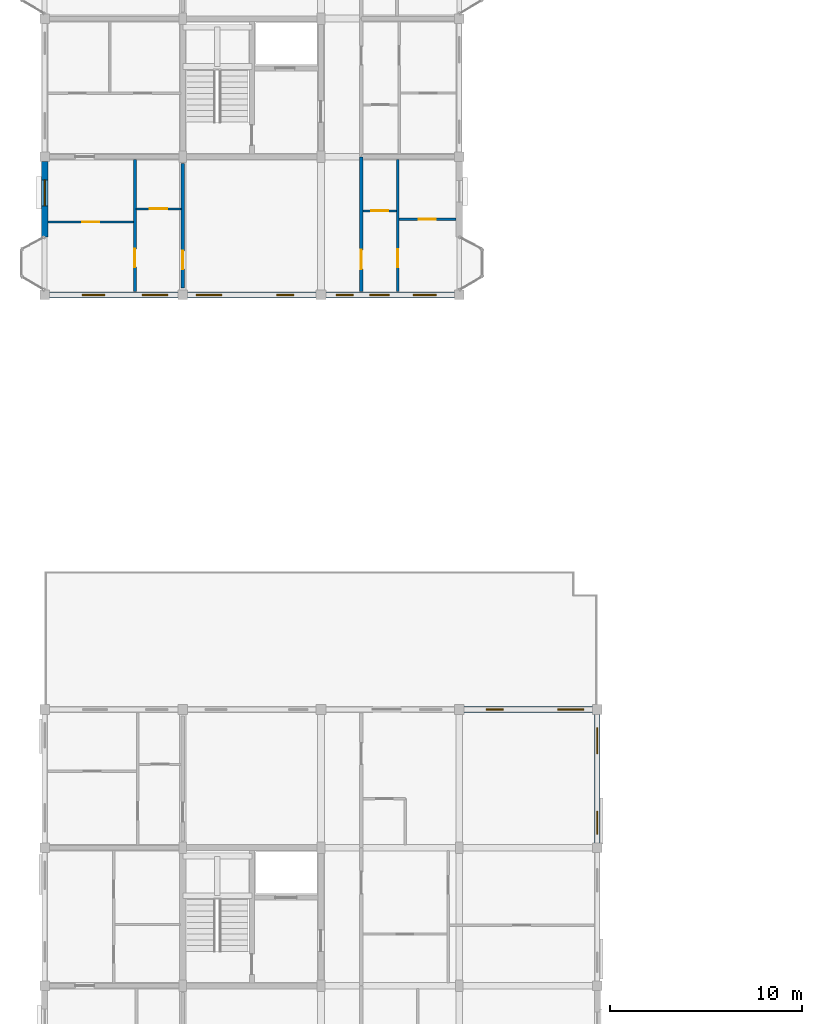
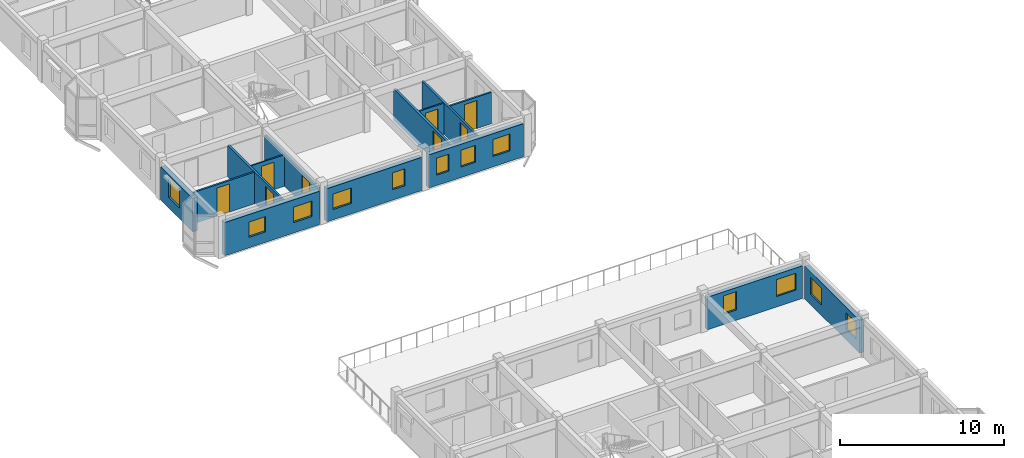
# One storey, part 50 of 70: 14 walls, 12 windows, 8 doors, 20 openings.
"""IFC4 building model written with IfcOpenShell, lengths in metres."""

from ifc_helpers import new_model, si_unit, direction, frame, frame_2d, origin, place, context, subcontext, project, spatial, rectangle, extrude, material, layer, layer_set, type_object, element, fill, save


model = new_model("IFC4")

# Units and contexts
model_context = context("Model", 3, precision=1e-05, world=origin(), true_north=direction((0.0, 1.0)))
body_context = subcontext(model_context, "Body", "Model", "MODEL_VIEW")
ifc_project = project(units=[si_unit("LENGTHUNIT", "METRE"), si_unit("AREAUNIT", "SQUARE_METRE"), si_unit("VOLUMEUNIT", "CUBIC_METRE"), si_unit("PLANEANGLEUNIT", "RADIAN"), si_unit("MASSUNIT", "GRAM", prefix="KILO"), si_unit("THERMODYNAMICTEMPERATUREUNIT", "KELVIN"), si_unit("POWERUNIT", "WATT")], contexts=[model_context])

# Site, building, storey
site_placement = place(None, origin())
site = spatial("IfcSite", under=ifc_project, at=site_placement, CompositionType="ELEMENT")
building_placement = place(site_placement, origin())
building = spatial("IfcBuilding", under=site, at=building_placement, Name="Tavuni Mirador Residences", CompositionType="ELEMENT")
storey_placement = place(building_placement, frame((0.0, 0.0, 23.39990234375)))
storey = spatial("IfcBuildingStorey", under=building, at=storey_placement, Name="L07", CompositionType="ELEMENT", Elevation=23.39990234375)

# Wall, opening, door
ifc_material_1 = material(Name="Precast concrete C40/50", Category="concrete")
ifc_layer_1 = layer(ifc_material_1, 0.1650390625, Name="Precast concrete C40/50", Category="concrete")
ifc_layer_set_1 = layer_set([ifc_layer_1], Name="Precast concrete C40/50")
wall_type_1 = type_object("IfcWallType", Name="WT-CORR165", PredefinedType="PARTITIONING", material=ifc_layer_set_1)
wall_1_placement = place(storey_placement, frame((20.10009765625, 64.97509765625, 0.0), z_axis=(0.0, 0.0, 1.0), x_axis=(0.0, 1.0, 0.0)))
wall_1 = element("IfcWall", 1, at=wall_1_placement, inside=storey, type_object=wall_type_1, Name="CORW-BLK-B-L07-0-00", PredefinedType="PARTITIONING", context=body_context, shape_type="SweptSolid", body=[
    extrude(rectangle(XDim=7.0048828125, YDim=0.1650390625, at=frame_2d((3.50244140625, 0.0))), origin(), (0.0, 0.0, 1.0), 2.34521484375),
])
opening_1_placement = place(wall_1_placement, frame((1.175048828125, 0.0, 0.0)))
opening_1 = element("IfcOpeningElement", 2, at=opening_1_placement, cuts=wall_1, Name="Opening D-03", PredefinedType="OPENING", context=body_context, shape_type="SweptSolid", body=[
    extrude(rectangle(XDim=1.0, YDim=2.14990234375, at=frame_2d((0.5, 1.074951171875))), frame((0.0, 0.092529296875, 0.0), z_axis=(0.0, -1.0, 0.0), x_axis=(1.0, 0.0, 0.0)), (0.0, 0.0, 1.0), 0.18505859375),
])
ifc_material_2 = material(Name="Solid core iroko timber", Category="wood")
door_type_1 = type_object("IfcDoorType", Name="DT-FD60-1000", OperationType="NOTDEFINED", PredefinedType="DOOR", material=ifc_material_2)
door_1_placement = place(opening_1_placement, origin())
door_1 = element("IfcDoor", 3, at=door_1_placement, inside=storey, type_object=door_type_1, Name="DR-2583", OperationType="SINGLE_SWING_RIGHT", OverallHeight=2.14990234375, OverallWidth=1.0, PredefinedType="DOOR", context=body_context, shape_type="SweptSolid", body=[
    extrude(rectangle(XDim=1.0, YDim=2.14990234375, at=frame_2d((0.5, 1.074951171875))), frame((0.0, 0.02490234375, 0.0), z_axis=(0.0, -1.0, 0.0), x_axis=(1.0, 0.0, 0.0)), (0.0, 0.0, 1.0), 0.050048828125),
])
fill(opening_1, door_1)

wall_2_placement = place(storey_placement, frame((10.800048828125, 65.14990234375, 0.0), z_axis=(0.0, 0.0, 1.0), x_axis=(0.0, 1.0, 0.0)))
wall_2 = element("IfcWall", 4, at=wall_2_placement, inside=storey, type_object=wall_type_1, Name="CORW-BLK-B-L07-1-00", PredefinedType="PARTITIONING", context=body_context, shape_type="SweptSolid", body=[
    extrude(rectangle(XDim=6.5, YDim=0.1650390625, at=frame_2d((3.25, 0.0))), origin(), (0.0, 0.0, 1.0), 2.34521484375),
])
opening_2_placement = place(wall_2_placement, frame((1.0, 0.0, 0.0)))
opening_2 = element("IfcOpeningElement", 5, at=opening_2_placement, cuts=wall_2, Name="Opening D-19", PredefinedType="OPENING", context=body_context, shape_type="SweptSolid", body=[
    extrude(rectangle(XDim=0.93994140625, YDim=2.1201171875, at=frame_2d((0.469970703125, 1.06005859375))), frame((0.0, 0.092529296875, 0.0), z_axis=(0.0, -1.0, 0.0), x_axis=(1.0, 0.0, 0.0)), (0.0, 0.0, 1.0), 0.18505859375),
])
door_type_2 = type_object("IfcDoorType", Name="DT-FD60-940", OperationType="NOTDEFINED", PredefinedType="DOOR", material=ifc_material_2)
door_2_placement = place(opening_2_placement, origin())
door_2 = element("IfcDoor", 6, at=door_2_placement, inside=storey, type_object=door_type_2, Name="DR-2587", OperationType="SINGLE_SWING_RIGHT", OverallHeight=2.1201171875, OverallWidth=0.93994140625, PredefinedType="DOOR", context=body_context, shape_type="SweptSolid", body=[
    extrude(rectangle(XDim=0.93994140625, YDim=2.1201171875, at=frame_2d((0.469970703125, 1.06005859375))), frame((0.0, 0.02490234375, 0.0), z_axis=(0.0, -1.0, 0.0), x_axis=(1.0, 0.0, 0.0)), (0.0, 0.0, 1.0), 0.050048828125),
])
fill(opening_2, door_2)

# Wall, openings, windows
ifc_layer_2 = layer(ifc_material_1, 0.330078125, Name="Precast concrete C40/50", Category="concrete")
ifc_layer_set_2 = layer_set([ifc_layer_2], Name="Precast concrete C40/50")
wall_type_2 = type_object("IfcWallType", Name="WT-EXT-COR330", PredefinedType="SOLIDWALL", material=ifc_layer_set_2)
wall_3_placement = place(storey_placement, frame((3.85009765625, 64.800048828125, 0.0), z_axis=(0.0, 0.0, 1.0), x_axis=(1.0, 0.0, 0.0)))
wall_3 = element("IfcWall", 7, at=wall_3_placement, inside=storey, type_object=wall_type_2, Name="EW-BLK-B-L07-S00", PredefinedType="SOLIDWALL", context=body_context, shape_type="SweptSolid", body=[
    extrude(rectangle(XDim=6.699951171875, YDim=0.330078125, at=frame_2d((3.35009765625, 0.0))), origin(), (0.0, 0.0, 1.0), 2.47998046875),
])
opening_3_placement = place(wall_3_placement, frame((1.715087890625, 0.0, 0.780029296875)))
opening_3 = element("IfcOpeningElement", 8, at=opening_3_placement, cuts=wall_3, Name="Opening WN-05", PredefinedType="OPENING", context=body_context, shape_type="SweptSolid", body=[
    extrude(rectangle(XDim=1.159912109375, YDim=1.14990234375, at=frame_2d((0.580078125, 0.574951171875))), frame((0.0, 0.175048828125, 0.0), z_axis=(0.0, -1.0, 0.0), x_axis=(1.0, 0.0, 0.0)), (0.0, 0.0, 1.0), 0.35009765625),
])
opening_4_placement = place(wall_3_placement, frame((4.844970703125, 0.0, 0.780029296875)))
opening_4 = element("IfcOpeningElement", 9, at=opening_4_placement, cuts=wall_3, Name="Opening WN-07", PredefinedType="OPENING", context=body_context, shape_type="SweptSolid", body=[
    extrude(rectangle(XDim=1.320068359375, YDim=1.14990234375, at=frame_2d((0.66015625, 0.574951171875))), frame((0.0, 0.175048828125, 0.0), z_axis=(0.0, -1.0, 0.0), x_axis=(1.0, 0.0, 0.0)), (0.0, 0.0, 1.0), 0.35009765625),
])
ifc_material_3 = material(Name="Laminated solar-control glass", Category="glass")
window_type_1 = type_object("IfcWindowType", Name="WNT-05", PartitioningType="SINGLE_PANEL", PredefinedType="WINDOW", material=ifc_material_3)
window_1_placement = place(opening_3_placement, origin())
window_1 = element("IfcWindow", 10, at=window_1_placement, inside=storey, type_object=window_type_1, Name="WIN-0747", OverallHeight=1.14990234375, OverallWidth=1.159912109375, PartitioningType="SINGLE_PANEL", PredefinedType="WINDOW", context=body_context, shape_type="SweptSolid", body=[
    extrude(rectangle(XDim=1.159912109375, YDim=1.14990234375, at=frame_2d((0.580078125, 0.574951171875))), frame((0.0, 0.030029296875, 0.0), z_axis=(0.0, -1.0, 0.0), x_axis=(1.0, 0.0, 0.0)), (0.0, 0.0, 1.0), 0.06005859375),
])
fill(opening_3, window_1)
window_type_2 = type_object("IfcWindowType", Name="WNT-07", PartitioningType="SINGLE_PANEL", PredefinedType="WINDOW", material=ifc_material_3)
window_2_placement = place(opening_4_placement, origin())
window_2 = element("IfcWindow", 11, at=window_2_placement, inside=storey, type_object=window_type_2, Name="WIN-0748", OverallHeight=1.14990234375, OverallWidth=1.320068359375, PartitioningType="SINGLE_PANEL", PredefinedType="WINDOW", context=body_context, shape_type="SweptSolid", body=[
    extrude(rectangle(XDim=1.320068359375, YDim=1.14990234375, at=frame_2d((0.66015625, 0.574951171875))), frame((0.0, 0.030029296875, 0.0), z_axis=(0.0, -1.0, 0.0), x_axis=(1.0, 0.0, 0.0)), (0.0, 0.0, 1.0), 0.06005859375),
])
fill(opening_4, window_2)

# Wall, opening, window
wall_4_placement = place(storey_placement, frame((3.60009765625, 71.75, 0.0), z_axis=(0.0, 0.0, 1.0), x_axis=(0.0, -1.0, 0.0)))
wall_4 = element("IfcWall", 12, at=wall_4_placement, inside=storey, type_object=wall_type_2, Name="EW-BLK-B-L07-W00", PredefinedType="SOLIDWALL", context=body_context, shape_type="SweptSolid", body=[
    extrude(rectangle(XDim=3.929931640625, YDim=0.330078125, at=frame_2d((1.96484375, 0.0))), origin(), (0.0, 0.0, 1.0), 2.47998046875),
])
opening_5_placement = place(wall_4_placement, frame((0.955078125, 0.0, 0.780029296875)))
opening_5 = element("IfcOpeningElement", 13, at=opening_5_placement, cuts=wall_4, Name="Opening WN-29", PredefinedType="OPENING", context=body_context, shape_type="SweptSolid", body=[
    extrude(rectangle(XDim=1.35009765625, YDim=1.43994140625, at=frame_2d((0.675048828125, 0.719970703125))), frame((0.0, 0.175048828125, 0.0), z_axis=(0.0, -1.0, 0.0), x_axis=(1.0, 0.0, 0.0)), (0.0, 0.0, 1.0), 0.35009765625),
])
window_type_3 = type_object("IfcWindowType", Name="WNT-29", PartitioningType="SINGLE_PANEL", PredefinedType="WINDOW", material=ifc_material_3)
window_3_placement = place(opening_5_placement, origin())
window_3 = element("IfcWindow", 14, at=window_3_placement, inside=storey, type_object=window_type_3, Name="WIN-0771", OverallHeight=1.43994140625, OverallWidth=1.35009765625, PartitioningType="SINGLE_PANEL", PredefinedType="WINDOW", context=body_context, shape_type="SweptSolid", body=[
    extrude(rectangle(XDim=1.35009765625, YDim=1.43994140625, at=frame_2d((0.675048828125, 0.719970703125))), frame((0.0, 0.030029296875, 0.0), z_axis=(0.0, -1.0, 0.0), x_axis=(1.0, 0.0, 0.0)), (0.0, 0.0, 1.0), 0.06005859375),
])
fill(opening_5, window_3)

# Wall, openings, windows
ifc_material_4 = material(Name="Sgraffito lime-rendered precast concrete C40/50", Category="concrete")
ifc_layer_3 = layer(ifc_material_4, 0.27490234375, Name="Sgraffito lime-rendered precast concrete C40/50", Category="concrete")
ifc_layer_set_3 = layer_set([ifc_layer_3], Name="Sgraffito lime-rendered precast concrete C40/50")
wall_type_3 = type_object("IfcWallType", Name="WT-EXT-PC275", PredefinedType="SOLIDWALL", material=ifc_layer_set_3)
wall_5_placement = place(storey_placement, frame((32.39990234375, 36.25, 0.0), z_axis=(0.0, 0.0, 1.0), x_axis=(0.0, 1.0, 0.0)))
wall_5 = element("IfcWall", 15, at=wall_5_placement, inside=storey, type_object=wall_type_3, Name="EW-BLK-A-L07-E04", PredefinedType="SOLIDWALL", context=body_context, shape_type="SweptSolid", body=[
    extrude(rectangle(XDim=6.699951171875, YDim=0.27490234375, at=frame_2d((3.35009765625, 0.0))), origin(), (0.0, 0.0, 1.0), 2.440185546875),
])
opening_6_placement = place(wall_5_placement, frame((0.449951171875, 0.0, 0.780029296875)))
opening_6 = element("IfcOpeningElement", 16, at=opening_6_placement, cuts=wall_5, Name="Opening WN-13", PredefinedType="OPENING", context=body_context, shape_type="SweptSolid", body=[
    extrude(rectangle(XDim=1.199951171875, YDim=1.260009765625, at=frame_2d((0.60009765625, 0.6298828125))), frame((0.0, 0.1474609375, 0.0), z_axis=(0.0, -1.0, 0.0), x_axis=(1.0, 0.0, 0.0)), (0.0, 0.0, 1.0), 0.294921875),
])
opening_7_placement = place(wall_5_placement, frame((4.64990234375, 0.0, 0.780029296875)))
opening_7 = element("IfcOpeningElement", 17, at=opening_7_placement, cuts=wall_5, Name="Opening WN-15", PredefinedType="OPENING", context=body_context, shape_type="SweptSolid", body=[
    extrude(rectangle(XDim=1.360107421875, YDim=1.260009765625, at=frame_2d((0.68017578125, 0.6298828125))), frame((0.0, 0.1474609375, 0.0), z_axis=(0.0, -1.0, 0.0), x_axis=(1.0, 0.0, 0.0)), (0.0, 0.0, 1.0), 0.294921875),
])
window_type_4 = type_object("IfcWindowType", Name="WNT-13", PartitioningType="SINGLE_PANEL", PredefinedType="WINDOW", material=ifc_material_3)
window_4_placement = place(opening_6_placement, origin())
window_4 = element("IfcWindow", 18, at=window_4_placement, inside=storey, type_object=window_type_4, Name="WIN-0275", OverallHeight=1.260009765625, OverallWidth=1.199951171875, PartitioningType="SINGLE_PANEL", PredefinedType="WINDOW", context=body_context, shape_type="SweptSolid", body=[
    extrude(rectangle(XDim=1.199951171875, YDim=1.260009765625, at=frame_2d((0.60009765625, 0.6298828125))), frame((0.0, 0.030029296875, 0.0), z_axis=(0.0, -1.0, 0.0), x_axis=(1.0, 0.0, 0.0)), (0.0, 0.0, 1.0), 0.06005859375),
])
fill(opening_6, window_4)
window_type_5 = type_object("IfcWindowType", Name="WNT-15", PartitioningType="SINGLE_PANEL", PredefinedType="WINDOW", material=ifc_material_3)
window_5_placement = place(opening_7_placement, origin())
window_5 = element("IfcWindow", 19, at=window_5_placement, inside=storey, type_object=window_type_5, Name="WIN-0276", OverallHeight=1.260009765625, OverallWidth=1.360107421875, PartitioningType="SINGLE_PANEL", PredefinedType="WINDOW", context=body_context, shape_type="SweptSolid", body=[
    extrude(rectangle(XDim=1.360107421875, YDim=1.260009765625, at=frame_2d((0.68017578125, 0.6298828125))), frame((0.0, 0.030029296875, 0.0), z_axis=(0.0, -1.0, 0.0), x_axis=(1.0, 0.0, 0.0)), (0.0, 0.0, 1.0), 0.06005859375),
])
fill(opening_7, window_5)

ifc_layer_4 = layer(ifc_material_4, 0.2900390625, Name="Sgraffito lime-rendered precast concrete C40/50", Category="concrete")
ifc_layer_set_4 = layer_set([ifc_layer_4], Name="Sgraffito lime-rendered precast concrete C40/50")
wall_type_4 = type_object("IfcWallType", Name="WT-EXT-PC290", PredefinedType="SOLIDWALL", material=ifc_layer_set_4)
wall_6_placement = place(storey_placement, frame((32.14990234375, 43.199951171875, 0.0), z_axis=(0.0, 0.0, 1.0), x_axis=(-1.0, 0.0, 0.0)))
wall_6 = element("IfcWall", 20, at=wall_6_placement, inside=storey, type_object=wall_type_4, Name="EW-BLK-A-L07-N03", PredefinedType="SOLIDWALL", context=body_context, shape_type="SweptSolid", body=[
    extrude(rectangle(XDim=6.699951171875, YDim=0.2900390625, at=frame_2d((3.35009765625, 0.0))), origin(), (0.0, 0.0, 1.0), 2.440185546875),
])
opening_8_placement = place(wall_6_placement, frame((0.449951171875, 0.0, 0.780029296875)))
opening_8 = element("IfcOpeningElement", 21, at=opening_8_placement, cuts=wall_6, Name="Opening WN-15", PredefinedType="OPENING", context=body_context, shape_type="SweptSolid", body=[
    extrude(rectangle(XDim=1.360107421875, YDim=1.260009765625, at=frame_2d((0.68017578125, 0.6298828125))), frame((0.0, 0.155029296875, 0.0), z_axis=(0.0, -1.0, 0.0), x_axis=(1.0, 0.0, 0.0)), (0.0, 0.0, 1.0), 0.31005859375),
])
opening_9_placement = place(wall_6_placement, frame((4.64990234375, 0.0, 0.780029296875)))
opening_9 = element("IfcOpeningElement", 22, at=opening_9_placement, cuts=wall_6, Name="Opening WN-17", PredefinedType="OPENING", context=body_context, shape_type="SweptSolid", body=[
    extrude(rectangle(XDim=0.89990234375, YDim=1.360107421875, at=frame_2d((0.449951171875, 0.68017578125))), frame((0.0, 0.155029296875, 0.0), z_axis=(0.0, -1.0, 0.0), x_axis=(1.0, 0.0, 0.0)), (0.0, 0.0, 1.0), 0.31005859375),
])
window_6_placement = place(opening_8_placement, origin())
window_6 = element("IfcWindow", 23, at=window_6_placement, inside=storey, type_object=window_type_5, Name="WIN-0277", OverallHeight=1.260009765625, OverallWidth=1.360107421875, PartitioningType="SINGLE_PANEL", PredefinedType="WINDOW", context=body_context, shape_type="SweptSolid", body=[
    extrude(rectangle(XDim=1.360107421875, YDim=1.260009765625, at=frame_2d((0.68017578125, 0.6298828125))), frame((0.0, 0.030029296875, 0.0), z_axis=(0.0, -1.0, 0.0), x_axis=(1.0, 0.0, 0.0)), (0.0, 0.0, 1.0), 0.06005859375),
])
fill(opening_8, window_6)
window_type_6 = type_object("IfcWindowType", Name="WNT-17", PartitioningType="SINGLE_PANEL", PredefinedType="WINDOW", material=ifc_material_3)
window_7_placement = place(opening_9_placement, origin())
window_7 = element("IfcWindow", 24, at=window_7_placement, inside=storey, type_object=window_type_6, Name="WIN-0278", OverallHeight=1.360107421875, OverallWidth=0.89990234375, PartitioningType="SINGLE_PANEL", PredefinedType="WINDOW", context=body_context, shape_type="SweptSolid", body=[
    extrude(rectangle(XDim=0.89990234375, YDim=1.360107421875, at=frame_2d((0.449951171875, 0.68017578125))), frame((0.0, 0.030029296875, 0.0), z_axis=(0.0, -1.0, 0.0), x_axis=(1.0, 0.0, 0.0)), (0.0, 0.0, 1.0), 0.06005859375),
])
fill(opening_9, window_7)

ifc_layer_5 = layer(ifc_material_4, 0.304931640625, Name="Sgraffito lime-rendered precast concrete C40/50", Category="concrete")
ifc_layer_set_5 = layer_set([ifc_layer_5], Name="Sgraffito lime-rendered precast concrete C40/50")
wall_type_5 = type_object("IfcWallType", Name="WT-EXT-PC305", PredefinedType="SOLIDWALL", material=ifc_layer_set_5)
wall_7_placement = place(storey_placement, frame((18.25, 64.800048828125, 0.0), z_axis=(0.0, 0.0, 1.0), x_axis=(1.0, 0.0, 0.0)))
wall_7 = element("IfcWall", 25, at=wall_7_placement, inside=storey, type_object=wall_type_5, Name="EW-BLK-B-L07-S02", PredefinedType="SOLIDWALL", context=body_context, shape_type="SweptSolid", body=[
    extrude(rectangle(XDim=6.699951171875, YDim=0.304931640625, at=frame_2d((3.35009765625, 0.0))), origin(), (0.0, 0.0, 1.0), 2.47998046875),
])
opening_10_placement = place(wall_7_placement, frame((0.554931640625, 0.0, 0.780029296875)))
opening_10 = element("IfcOpeningElement", 26, at=opening_10_placement, cuts=wall_7, Name="Opening WN-09", PredefinedType="OPENING", context=body_context, shape_type="SweptSolid", body=[
    extrude(rectangle(XDim=0.8798828125, YDim=1.260009765625, at=frame_2d((0.43994140625, 0.6298828125))), frame((0.0, 0.16259765625, 0.0), z_axis=(0.0, -1.0, 0.0), x_axis=(1.0, 0.0, 0.0)), (0.0, 0.0, 1.0), 0.324951171875),
])
opening_11_placement = place(wall_7_placement, frame((2.280029296875, 0.0, 0.780029296875)))
opening_11 = element("IfcOpeningElement", 27, at=opening_11_placement, cuts=wall_7, Name="Opening WN-11", PredefinedType="OPENING", context=body_context, shape_type="SweptSolid", body=[
    extrude(rectangle(XDim=1.0400390625, YDim=1.260009765625, at=frame_2d((0.52001953125, 0.6298828125))), frame((0.0, 0.16259765625, 0.0), z_axis=(0.0, -1.0, 0.0), x_axis=(1.0, 0.0, 0.0)), (0.0, 0.0, 1.0), 0.324951171875),
])
opening_12_placement = place(wall_7_placement, frame((4.554931640625, 0.0, 0.780029296875)))
opening_12 = element("IfcOpeningElement", 28, at=opening_12_placement, cuts=wall_7, Name="Opening WN-13", PredefinedType="OPENING", context=body_context, shape_type="SweptSolid", body=[
    extrude(rectangle(XDim=1.199951171875, YDim=1.260009765625, at=frame_2d((0.60009765625, 0.6298828125))), frame((0.0, 0.16259765625, 0.0), z_axis=(0.0, -1.0, 0.0), x_axis=(1.0, 0.0, 0.0)), (0.0, 0.0, 1.0), 0.324951171875),
])
window_type_7 = type_object("IfcWindowType", Name="WNT-09", PartitioningType="SINGLE_PANEL", PredefinedType="WINDOW", material=ifc_material_3)
window_8_placement = place(opening_10_placement, origin())
window_8 = element("IfcWindow", 29, at=window_8_placement, inside=storey, type_object=window_type_7, Name="WIN-0751", OverallHeight=1.260009765625, OverallWidth=0.8798828125, PartitioningType="SINGLE_PANEL", PredefinedType="WINDOW", context=body_context, shape_type="SweptSolid", body=[
    extrude(rectangle(XDim=0.8798828125, YDim=1.260009765625, at=frame_2d((0.43994140625, 0.6298828125))), frame((0.0, 0.030029296875, 0.0), z_axis=(0.0, -1.0, 0.0), x_axis=(1.0, 0.0, 0.0)), (0.0, 0.0, 1.0), 0.06005859375),
])
fill(opening_10, window_8)
window_type_8 = type_object("IfcWindowType", Name="WNT-11", PartitioningType="SINGLE_PANEL", PredefinedType="WINDOW", material=ifc_material_3)
window_9_placement = place(opening_11_placement, origin())
window_9 = element("IfcWindow", 30, at=window_9_placement, inside=storey, type_object=window_type_8, Name="WIN-0752", OverallHeight=1.260009765625, OverallWidth=1.0400390625, PartitioningType="SINGLE_PANEL", PredefinedType="WINDOW", context=body_context, shape_type="SweptSolid", body=[
    extrude(rectangle(XDim=1.0400390625, YDim=1.260009765625, at=frame_2d((0.52001953125, 0.6298828125))), frame((0.0, 0.030029296875, 0.0), z_axis=(0.0, -1.0, 0.0), x_axis=(1.0, 0.0, 0.0)), (0.0, 0.0, 1.0), 0.06005859375),
])
fill(opening_11, window_9)
window_10_placement = place(opening_12_placement, origin())
window_10 = element("IfcWindow", 31, at=window_10_placement, inside=storey, type_object=window_type_4, Name="WIN-0753", OverallHeight=1.260009765625, OverallWidth=1.199951171875, PartitioningType="SINGLE_PANEL", PredefinedType="WINDOW", context=body_context, shape_type="SweptSolid", body=[
    extrude(rectangle(XDim=1.199951171875, YDim=1.260009765625, at=frame_2d((0.60009765625, 0.6298828125))), frame((0.0, 0.030029296875, 0.0), z_axis=(0.0, -1.0, 0.0), x_axis=(1.0, 0.0, 0.0)), (0.0, 0.0, 1.0), 0.06005859375),
])
fill(opening_12, window_10)

ifc_layer_6 = layer(ifc_material_4, 0.31494140625, Name="Sgraffito lime-rendered precast concrete C40/50", Category="concrete")
ifc_layer_set_6 = layer_set([ifc_layer_6], Name="Sgraffito lime-rendered precast concrete C40/50")
wall_type_6 = type_object("IfcWallType", Name="WT-EXT-PC315", PredefinedType="SOLIDWALL", material=ifc_layer_set_6)
wall_8_placement = place(storey_placement, frame((11.050048828125, 64.800048828125, 0.0), z_axis=(0.0, 0.0, 1.0), x_axis=(1.0, 0.0, 0.0)))
wall_8 = element("IfcWall", 32, at=wall_8_placement, inside=storey, type_object=wall_type_6, Name="EW-BLK-B-L07-S01", PredefinedType="SOLIDWALL", context=body_context, shape_type="SweptSolid", body=[
    extrude(rectangle(XDim=6.699951171875, YDim=0.31494140625, at=frame_2d((3.35009765625, 0.0))), origin(), (0.0, 0.0, 1.0), 2.47998046875),
])
opening_13_placement = place(wall_8_placement, frame((0.449951171875, 0.0, 0.780029296875)))
opening_13 = element("IfcOpeningElement", 33, at=opening_13_placement, cuts=wall_8, Name="Opening WN-07", PredefinedType="OPENING", context=body_context, shape_type="SweptSolid", body=[
    extrude(rectangle(XDim=1.320068359375, YDim=1.14990234375, at=frame_2d((0.66015625, 0.574951171875))), frame((0.0, 0.16748046875, 0.0), z_axis=(0.0, -1.0, 0.0), x_axis=(1.0, 0.0, 0.0)), (0.0, 0.0, 1.0), 0.3349609375),
])
opening_14_placement = place(wall_8_placement, frame((4.64990234375, 0.0, 0.780029296875)))
opening_14 = element("IfcOpeningElement", 34, at=opening_14_placement, cuts=wall_8, Name="Opening WN-09", PredefinedType="OPENING", context=body_context, shape_type="SweptSolid", body=[
    extrude(rectangle(XDim=0.8798828125, YDim=1.260009765625, at=frame_2d((0.43994140625, 0.6298828125))), frame((0.0, 0.16748046875, 0.0), z_axis=(0.0, -1.0, 0.0), x_axis=(1.0, 0.0, 0.0)), (0.0, 0.0, 1.0), 0.3349609375),
])
window_11_placement = place(opening_13_placement, origin())
window_11 = element("IfcWindow", 35, at=window_11_placement, inside=storey, type_object=window_type_2, Name="WIN-0749", OverallHeight=1.14990234375, OverallWidth=1.320068359375, PartitioningType="SINGLE_PANEL", PredefinedType="WINDOW", context=body_context, shape_type="SweptSolid", body=[
    extrude(rectangle(XDim=1.320068359375, YDim=1.14990234375, at=frame_2d((0.66015625, 0.574951171875))), frame((0.0, 0.030029296875, 0.0), z_axis=(0.0, -1.0, 0.0), x_axis=(1.0, 0.0, 0.0)), (0.0, 0.0, 1.0), 0.06005859375),
])
fill(opening_13, window_11)
window_12_placement = place(opening_14_placement, origin())
window_12 = element("IfcWindow", 36, at=window_12_placement, inside=storey, type_object=window_type_7, Name="WIN-0750", OverallHeight=1.260009765625, OverallWidth=0.8798828125, PartitioningType="SINGLE_PANEL", PredefinedType="WINDOW", context=body_context, shape_type="SweptSolid", body=[
    extrude(rectangle(XDim=0.8798828125, YDim=1.260009765625, at=frame_2d((0.43994140625, 0.6298828125))), frame((0.0, 0.030029296875, 0.0), z_axis=(0.0, -1.0, 0.0), x_axis=(1.0, 0.0, 0.0)), (0.0, 0.0, 1.0), 0.06005859375),
])
fill(opening_14, window_12)

# Wall, opening, door
ifc_material_5 = material(Name="Acoustic gypsum and concrete block partition", Category="concrete")
ifc_layer_7 = layer(ifc_material_5, 0.094970703125, Name="Acoustic gypsum and concrete block partition", Category="concrete")
ifc_layer_set_7 = layer_set([ifc_layer_7], Name="Acoustic gypsum and concrete block partition")
wall_type_7 = type_object("IfcWallType", Name="WT-PART095", PredefinedType="PARTITIONING", material=ifc_layer_set_7)
wall_9_placement = place(storey_placement, frame((8.3701171875, 69.280029296875, 0.0), z_axis=(0.0, 0.0, 1.0), x_axis=(1.0, 0.0, 0.0)))
wall_9 = element("IfcWall", 37, at=wall_9_placement, inside=storey, type_object=wall_type_7, Name="PW-BLK-B-L07-W00-IN1", PredefinedType="PARTITIONING", context=body_context, shape_type="SweptSolid", body=[
    extrude(rectangle(XDim=2.33984375, YDim=0.094970703125, at=frame_2d((1.169921875, 0.0))), origin(), (0.0, 0.0, 1.0), 2.34521484375),
])
opening_15_placement = place(wall_9_placement, frame((0.719970703125, 0.0, 0.0)))
opening_15 = element("IfcOpeningElement", 38, at=opening_15_placement, cuts=wall_9, Name="Opening D-09", PredefinedType="OPENING", context=body_context, shape_type="SweptSolid", body=[
    extrude(rectangle(XDim=0.89990234375, YDim=2.050048828125, at=frame_2d((0.449951171875, 1.02490234375))), frame((0.0, 0.0576171875, 0.0), z_axis=(0.0, -1.0, 0.0), x_axis=(1.0, 0.0, 0.0)), (0.0, 0.0, 1.0), 0.114990234375),
])
door_type_3 = type_object("IfcDoorType", Name="DT-WC900", OperationType="NOTDEFINED", PredefinedType="DOOR", material=ifc_material_2)
door_3_placement = place(opening_15_placement, origin())
door_3 = element("IfcDoor", 39, at=door_3_placement, inside=storey, type_object=door_type_3, Name="DR-3603", OperationType="SINGLE_SWING_RIGHT", OverallHeight=2.050048828125, OverallWidth=0.89990234375, PredefinedType="DOOR", context=body_context, shape_type="SweptSolid", body=[
    extrude(rectangle(XDim=0.89990234375, YDim=2.050048828125, at=frame_2d((0.449951171875, 1.02490234375))), frame((0.0, 0.02490234375, 0.0), z_axis=(0.0, -1.0, 0.0), x_axis=(1.0, 0.0, 0.0)), (0.0, 0.0, 1.0), 0.050048828125),
])
fill(opening_15, door_3)

ifc_layer_8 = layer(ifc_material_5, 0.10498046875, Name="Acoustic gypsum and concrete block partition", Category="concrete")
ifc_layer_set_8 = layer_set([ifc_layer_8], Name="Acoustic gypsum and concrete block partition")
wall_type_8 = type_object("IfcWallType", Name="WT-PART105", PredefinedType="PARTITIONING", material=ifc_layer_set_8)
wall_10_placement = place(storey_placement, frame((20.18994140625, 69.179931640625, 0.0), z_axis=(0.0, 0.0, 1.0), x_axis=(1.0, 0.0, 0.0)))
wall_10 = element("IfcWall", 40, at=wall_10_placement, inside=storey, type_object=wall_type_8, Name="PW-BLK-B-L07-E00-IN1", PredefinedType="PARTITIONING", context=body_context, shape_type="SweptSolid", body=[
    extrude(rectangle(XDim=1.739990234375, YDim=0.10498046875, at=frame_2d((0.8701171875, 0.0))), origin(), (0.0, 0.0, 1.0), 2.34521484375),
])
opening_16_placement = place(wall_10_placement, frame((0.43505859375, 0.0, 0.0)))
opening_16 = element("IfcOpeningElement", 41, at=opening_16_placement, cuts=wall_10, Name="Opening D-10", PredefinedType="OPENING", context=body_context, shape_type="SweptSolid", body=[
    extrude(rectangle(XDim=0.8701171875, YDim=2.050048828125, at=frame_2d((0.43505859375, 1.02490234375))), frame((0.0, 0.0625, 0.0), z_axis=(0.0, -1.0, 0.0), x_axis=(1.0, 0.0, 0.0)), (0.0, 0.0, 1.0), 0.125),
])
door_type_4 = type_object("IfcDoorType", Name="DT-WC870", OperationType="NOTDEFINED", PredefinedType="DOOR", material=ifc_material_2)
door_4_placement = place(opening_16_placement, origin())
door_4 = element("IfcDoor", 42, at=door_4_placement, inside=storey, type_object=door_type_4, Name="DR-3606", OperationType="SINGLE_SWING_LEFT", OverallHeight=2.050048828125, OverallWidth=0.8701171875, PredefinedType="DOOR", context=body_context, shape_type="SweptSolid", body=[
    extrude(rectangle(XDim=0.8701171875, YDim=2.050048828125, at=frame_2d((0.43505859375, 1.02490234375))), frame((0.0, 0.02490234375, 0.0), z_axis=(0.0, -1.0, 0.0), x_axis=(1.0, 0.0, 0.0)), (0.0, 0.0, 1.0), 0.050048828125),
])
fill(opening_16, door_4)

ifc_layer_9 = layer(ifc_material_5, 0.114990234375, Name="Acoustic gypsum and concrete block partition", Category="concrete")
ifc_layer_set_9 = layer_set([ifc_layer_9], Name="Acoustic gypsum and concrete block partition")
wall_type_9 = type_object("IfcWallType", Name="WT-PART115", PredefinedType="PARTITIONING", material=ifc_layer_set_9)
wall_11_placement = place(storey_placement, frame((22.070068359375, 68.739990234375, 0.0), z_axis=(0.0, 0.0, 1.0), x_axis=(1.0, 0.0, 0.0)))
wall_11 = element("IfcWall", 43, at=wall_11_placement, inside=storey, type_object=wall_type_9, Name="PW-BLK-B-L07-E00-OUT", PredefinedType="PARTITIONING", context=body_context, shape_type="SweptSolid", body=[
    extrude(rectangle(XDim=2.954833984375, YDim=0.114990234375, at=frame_2d((1.4775390625, 0.0))), origin(), (0.0, 0.0, 1.0), 2.34521484375),
])
opening_17_placement = place(wall_11_placement, frame((1.03759765625, 0.0, 0.0)))
opening_17 = element("IfcOpeningElement", 44, at=opening_17_placement, cuts=wall_11, Name="Opening D-08", PredefinedType="OPENING", context=body_context, shape_type="SweptSolid", body=[
    extrude(rectangle(XDim=0.8798828125, YDim=2.080078125, at=frame_2d((0.43994140625, 1.0400390625))), frame((0.0, 0.0673828125, 0.0), z_axis=(0.0, -1.0, 0.0), x_axis=(1.0, 0.0, 0.0)), (0.0, 0.0, 1.0), 0.135009765625),
])
door_type_5 = type_object("IfcDoorType", Name="DT-BED880", OperationType="NOTDEFINED", PredefinedType="DOOR", material=ifc_material_2)
door_5_placement = place(opening_17_placement, origin())
door_5 = element("IfcDoor", 45, at=door_5_placement, inside=storey, type_object=door_type_5, Name="DR-3605", OperationType="SINGLE_SWING_RIGHT", OverallHeight=2.080078125, OverallWidth=0.8798828125, PredefinedType="DOOR", context=body_context, shape_type="SweptSolid", body=[
    extrude(rectangle(XDim=0.8798828125, YDim=2.080078125, at=frame_2d((0.43994140625, 1.0400390625))), frame((0.0, 0.02490234375, 0.0), z_axis=(0.0, -1.0, 0.0), x_axis=(1.0, 0.0, 0.0)), (0.0, 0.0, 1.0), 0.050048828125),
])
fill(opening_17, door_5)

ifc_layer_10 = layer(ifc_material_5, 0.125, Name="Acoustic gypsum and concrete block partition", Category="concrete")
ifc_layer_set_10 = layer_set([ifc_layer_10], Name="Acoustic gypsum and concrete block partition")
wall_type_10 = type_object("IfcWallType", Name="WT-PART125", PredefinedType="PARTITIONING", material=ifc_layer_set_10)
wall_12_placement = place(storey_placement, frame((3.77490234375, 68.60009765625, 0.0), z_axis=(0.0, 0.0, 1.0), x_axis=(1.0, 0.0, 0.0)))
wall_12 = element("IfcWall", 46, at=wall_12_placement, inside=storey, type_object=wall_type_10, Name="PW-BLK-B-L07-W00-OUT", PredefinedType="PARTITIONING", context=body_context, shape_type="SweptSolid", body=[
    extrude(rectangle(XDim=4.455078125, YDim=0.125, at=frame_2d((2.2275390625, 0.0))), origin(), (0.0, 0.0, 1.0), 2.34521484375),
])
opening_18_placement = place(wall_12_placement, frame((1.777587890625, 0.0, 0.0)))
opening_18 = element("IfcOpeningElement", 47, at=opening_18_placement, cuts=wall_12, Name="Opening D-07", PredefinedType="OPENING", context=body_context, shape_type="SweptSolid", body=[
    extrude(rectangle(XDim=0.89990234375, YDim=2.10009765625, at=frame_2d((0.449951171875, 1.050048828125))), frame((0.0, 0.072509765625, 0.0), z_axis=(0.0, -1.0, 0.0), x_axis=(1.0, 0.0, 0.0)), (0.0, 0.0, 1.0), 0.14501953125),
])
door_type_6 = type_object("IfcDoorType", Name="DT-BED900", OperationType="NOTDEFINED", PredefinedType="DOOR", material=ifc_material_2)
door_6_placement = place(opening_18_placement, origin())
door_6 = element("IfcDoor", 48, at=door_6_placement, inside=storey, type_object=door_type_6, Name="DR-3602", OperationType="SINGLE_SWING_LEFT", OverallHeight=2.10009765625, OverallWidth=0.89990234375, PredefinedType="DOOR", context=body_context, shape_type="SweptSolid", body=[
    extrude(rectangle(XDim=0.89990234375, YDim=2.10009765625, at=frame_2d((0.449951171875, 1.050048828125))), frame((0.0, 0.02490234375, 0.0), z_axis=(0.0, -1.0, 0.0), x_axis=(1.0, 0.0, 0.0)), (0.0, 0.0, 1.0), 0.050048828125),
])
fill(opening_18, door_6)

ifc_layer_11 = layer(ifc_material_5, 0.139892578125, Name="Acoustic gypsum and concrete block partition", Category="concrete")
ifc_layer_set_11 = layer_set([ifc_layer_11], Name="Acoustic gypsum and concrete block partition")
wall_type_11 = type_object("IfcWallType", Name="WT-PART140", PredefinedType="PARTITIONING", material=ifc_layer_set_11)
wall_13_placement = place(storey_placement, frame((22.0, 64.97509765625, 0.0), z_axis=(0.0, 0.0, 1.0), x_axis=(0.0, 1.0, 0.0)))
wall_13 = element("IfcWall", 49, at=wall_13_placement, inside=storey, type_object=wall_type_11, Name="PW-BLK-B-L07-E00-MID", PredefinedType="PARTITIONING", context=body_context, shape_type="SweptSolid", body=[
    extrude(rectangle(XDim=6.885009765625, YDim=0.139892578125, at=frame_2d((3.4423828125, 0.0))), origin(), (0.0, 0.0, 1.0), 2.34521484375),
])
opening_19_placement = place(wall_13_placement, frame((1.27490234375, 0.0, 0.0)))
opening_19 = element("IfcOpeningElement", 50, at=opening_19_placement, cuts=wall_13, Name="Opening D-06", PredefinedType="OPENING", context=body_context, shape_type="SweptSolid", body=[
    extrude(rectangle(XDim=0.919921875, YDim=2.10009765625, at=frame_2d((0.4599609375, 1.050048828125))), frame((0.0, 0.080078125, 0.0), z_axis=(0.0, -1.0, 0.0), x_axis=(1.0, 0.0, 0.0)), (0.0, 0.0, 1.0), 0.159912109375),
])
door_type_7 = type_object("IfcDoorType", Name="DT-INT920", OperationType="NOTDEFINED", PredefinedType="DOOR", material=ifc_material_2)
door_7_placement = place(opening_19_placement, origin())
door_7 = element("IfcDoor", 51, at=door_7_placement, inside=storey, type_object=door_type_7, Name="DR-3607", OperationType="SINGLE_SWING_RIGHT", OverallHeight=2.10009765625, OverallWidth=0.919921875, PredefinedType="DOOR", context=body_context, shape_type="SweptSolid", body=[
    extrude(rectangle(XDim=0.919921875, YDim=2.10009765625, at=frame_2d((0.4599609375, 1.050048828125))), frame((0.0, 0.02490234375, 0.0), z_axis=(0.0, -1.0, 0.0), x_axis=(1.0, 0.0, 0.0)), (0.0, 0.0, 1.0), 0.050048828125),
])
fill(opening_19, door_7)

ifc_layer_12 = layer(ifc_material_5, 0.14990234375, Name="Acoustic gypsum and concrete block partition", Category="concrete")
ifc_layer_set_12 = layer_set([ifc_layer_12], Name="Acoustic gypsum and concrete block partition")
wall_type_12 = type_object("IfcWallType", Name="WT-PART150", PredefinedType="PARTITIONING", material=ifc_layer_set_12)
wall_14_placement = place(storey_placement, frame((8.300048828125, 64.97509765625, 0.0), z_axis=(0.0, 0.0, 1.0), x_axis=(0.0, 1.0, 0.0)))
wall_14 = element("IfcWall", 52, at=wall_14_placement, inside=storey, type_object=wall_type_12, Name="PW-BLK-B-L07-W00-MID", PredefinedType="PARTITIONING", context=body_context, shape_type="SweptSolid", body=[
    extrude(rectangle(XDim=6.885009765625, YDim=0.14990234375, at=frame_2d((3.4423828125, 0.0))), origin(), (0.0, 0.0, 1.0), 2.34521484375),
])
opening_20_placement = place(wall_14_placement, frame((1.27490234375, 0.0, 0.0)))
opening_20 = element("IfcOpeningElement", 53, at=opening_20_placement, cuts=wall_14, Name="Opening D-05", PredefinedType="OPENING", context=body_context, shape_type="SweptSolid", body=[
    extrude(rectangle(XDim=0.949951171875, YDim=2.10009765625, at=frame_2d((0.47509765625, 1.050048828125))), frame((0.0, 0.0849609375, 0.0), z_axis=(0.0, -1.0, 0.0), x_axis=(1.0, 0.0, 0.0)), (0.0, 0.0, 1.0), 0.169921875),
])
door_type_8 = type_object("IfcDoorType", Name="DT-INT950", OperationType="NOTDEFINED", PredefinedType="DOOR", material=ifc_material_2)
door_8_placement = place(opening_20_placement, origin())
door_8 = element("IfcDoor", 54, at=door_8_placement, inside=storey, type_object=door_type_8, Name="DR-3604", OperationType="SINGLE_SWING_LEFT", OverallHeight=2.10009765625, OverallWidth=0.949951171875, PredefinedType="DOOR", context=body_context, shape_type="SweptSolid", body=[
    extrude(rectangle(XDim=0.949951171875, YDim=2.10009765625, at=frame_2d((0.47509765625, 1.050048828125))), frame((0.0, 0.02490234375, 0.0), z_axis=(0.0, -1.0, 0.0), x_axis=(1.0, 0.0, 0.0)), (0.0, 0.0, 1.0), 0.050048828125),
])
fill(opening_20, door_8)

save(model, "model.ifc")
